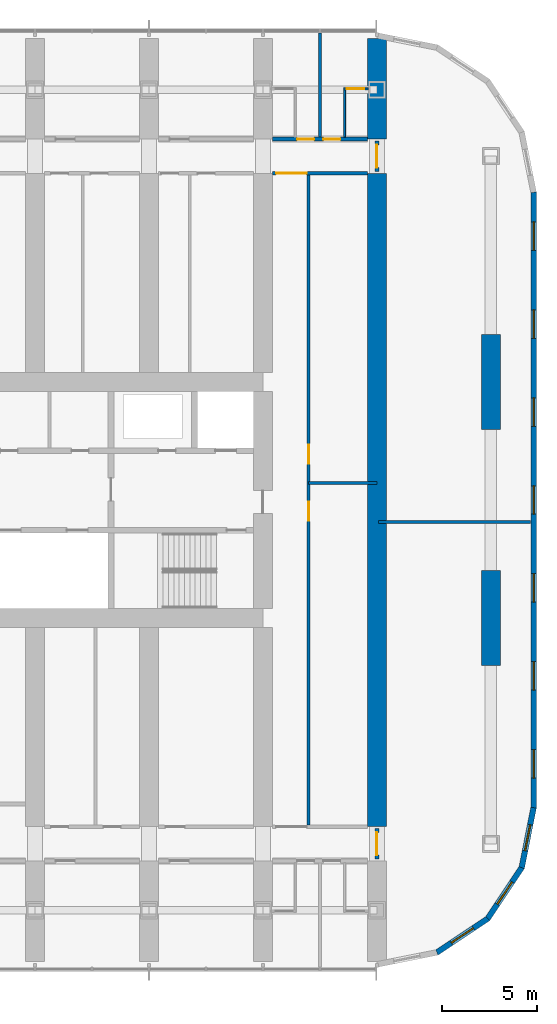
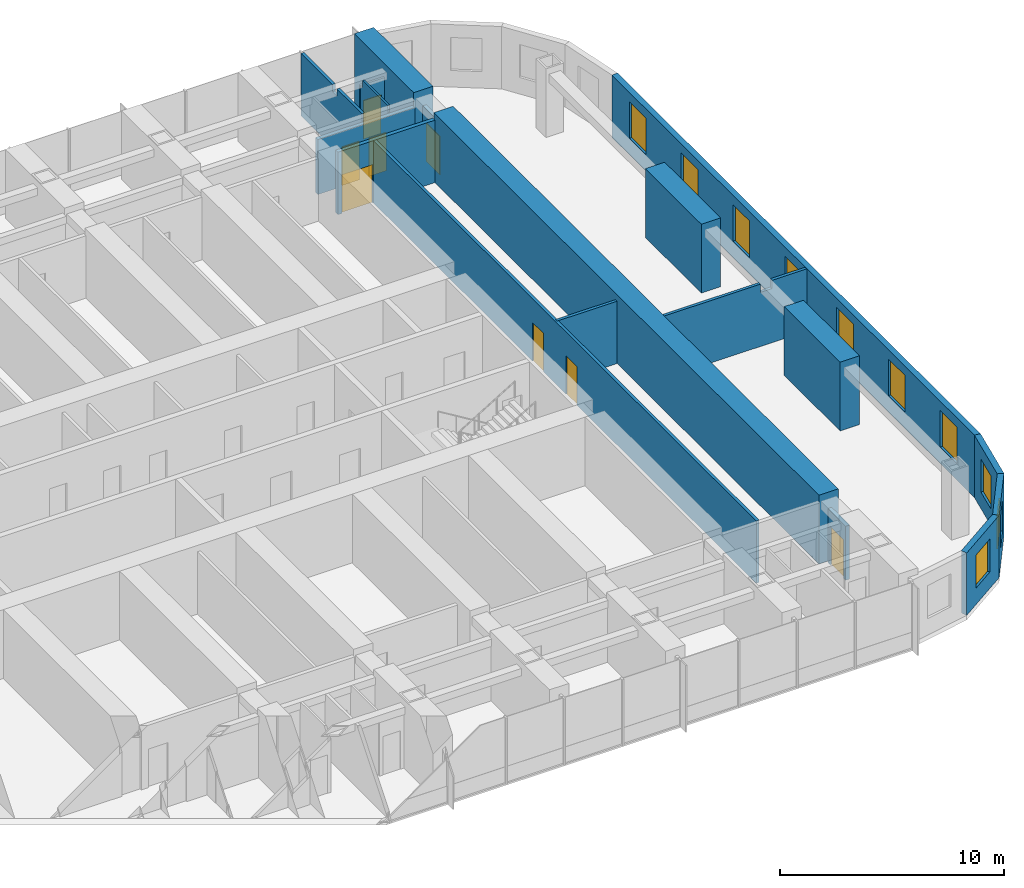
# One storey, part 17 of 23: 18 walls, 10 windows, 8 doors, 18 openings.
"""IFC4 building model written with IfcOpenShell, lengths in metres."""

from ifc_helpers import new_model, si_unit, direction, frame, frame_2d, origin, place, context, subcontext, project, spatial, polyline, rectangle, outline, extrude, material, layer, layer_set, type_object, element, fill, save


model = new_model("IFC4")

# Units and contexts
model_context = context("Model", 3, precision=1e-05, world=origin(), true_north=direction((0.0, 1.0)))
body_context = subcontext(model_context, "Body", "Model", "MODEL_VIEW")
ifc_project = project(units=[si_unit("LENGTHUNIT", "METRE"), si_unit("AREAUNIT", "SQUARE_METRE"), si_unit("VOLUMEUNIT", "CUBIC_METRE"), si_unit("PLANEANGLEUNIT", "RADIAN"), si_unit("MASSUNIT", "GRAM", prefix="KILO")], contexts=[model_context])

# Site, building, storey
site_placement = place(None, origin())
site = spatial("IfcSite", under=ifc_project, at=site_placement, CompositionType="ELEMENT")
building_placement = place(site_placement, origin())
building = spatial("IfcBuilding", under=site, at=building_placement, Name="Orbita Commons", CompositionType="ELEMENT")
storey_placement = place(building_placement, frame((0.0, 0.0, 65.199951171875)))
storey = spatial("IfcBuildingStorey", under=building, at=storey_placement, Name="L16", CompositionType="ELEMENT", Elevation=65.199951171875)

# Wall, openings, doors
ifc_material_1 = material(Name="Concrete blockwork", Category="masonry")
ifc_layer_1 = layer(ifc_material_1, 0.199951171875)
ifc_layer_set_1 = layer_set([ifc_layer_1], Name="Concrete blockwork")
wall_type_1 = type_object("IfcWallType", Name="Corridor wall 200 blockwork", PredefinedType="SOLIDWALL", material=ifc_layer_set_1)
wall_1_placement = place(storey_placement, frame((66.5, 51.0, 0.0), z_axis=(0.0, 0.0, 1.0), x_axis=(1.0, 0.0, 0.0)))
wall_1 = element("IfcWall", 1, at=wall_1_placement, inside=storey, type_object=wall_type_1, Name="Corridor wall 200 blockwork L16", PredefinedType="SOLIDWALL", context=body_context, shape_type="SweptSolid", body=[
    extrude(outline(polyline([(0.0, 0.0), (5.0, 0.0), (5.0, 3.0), (0.0, 3.0), (0.0, 0.0)])), frame((0.0, 0.10009765625, 0.0), z_axis=(0.0, -1.0, 0.0), x_axis=(1.0, 0.0, 0.0)), (0.0, 0.0, 1.0), 0.199951171875),
])
opening_1_placement = place(wall_1_placement, frame((1.300048828125, 0.0, 0.0)))
opening_1 = element("IfcOpeningElement", 2, at=opening_1_placement, cuts=wall_1, Name="Opening D11", PredefinedType="OPENING", context=body_context, shape_type="SweptSolid", body=[
    extrude(rectangle(XDim=0.89990234375, YDim=2.10009765625, at=frame_2d((0.449951171875, 1.050048828125))), frame((0.0, 0.10986328125, 0.0), z_axis=(0.0, -1.0, 0.0), x_axis=(1.0, 0.0, 0.0)), (0.0, 0.0, 1.0), 0.219970703125),
])
opening_2_placement = place(wall_1_placement, frame((2.675048828125, 0.0, 0.0)))
opening_2 = element("IfcOpeningElement", 3, at=opening_2_placement, cuts=wall_1, Name="Opening D11", PredefinedType="OPENING", context=body_context, shape_type="SweptSolid", body=[
    extrude(rectangle(XDim=0.89990234375, YDim=2.10009765625, at=frame_2d((0.449951171875, 1.050048828125))), frame((0.0, 0.10986328125, 0.0), z_axis=(0.0, -1.0, 0.0), x_axis=(1.0, 0.0, 0.0)), (0.0, 0.0, 1.0), 0.219970703125),
])
ifc_material_2 = material(Name="Steel-faced fire door leaf", Category="steel")
door_type_1 = type_object("IfcDoorType", Name="Corridor door 20 min 900x2100", OperationType="SINGLE_SWING_LEFT", PredefinedType="DOOR", material=ifc_material_2)
door_1_placement = place(opening_1_placement, origin())
door_1 = element("IfcDoor", 4, at=door_1_placement, inside=storey, type_object=door_type_1, Name="House bedroom L16-N18 door", OperationType="SINGLE_SWING_LEFT", OverallHeight=2.10009765625, OverallWidth=0.89990234375, PredefinedType="DOOR", context=body_context, shape_type="SweptSolid", body=[
    extrude(rectangle(XDim=0.89990234375, YDim=2.10009765625, at=frame_2d((0.449951171875, 1.050048828125))), frame((0.0, 0.02490234375, 0.0), z_axis=(0.0, -1.0, 0.0), x_axis=(1.0, 0.0, 0.0)), (0.0, 0.0, 1.0), 0.050048828125),
])
fill(opening_1, door_1)
door_2_placement = place(opening_2_placement, origin())
door_2 = element("IfcDoor", 5, at=door_2_placement, inside=storey, type_object=door_type_1, Name="House bedroom L16-N19 door", OperationType="SINGLE_SWING_LEFT", OverallHeight=2.10009765625, OverallWidth=0.89990234375, PredefinedType="DOOR", context=body_context, shape_type="SweptSolid", body=[
    extrude(rectangle(XDim=0.89990234375, YDim=2.10009765625, at=frame_2d((0.449951171875, 1.050048828125))), frame((0.0, 0.02490234375, 0.0), z_axis=(0.0, -1.0, 0.0), x_axis=(1.0, 0.0, 0.0)), (0.0, 0.0, 1.0), 0.050048828125),
])
fill(opening_2, door_2)

# Wall, opening, door
wall_2_placement = place(storey_placement, frame((72.0, 13.10009765625, 0.0), z_axis=(0.0, 0.0, 1.0), x_axis=(0.0, 1.0, 0.0)))
wall_2 = element("IfcWall", 6, at=wall_2_placement, inside=storey, type_object=wall_type_1, Name="Corridor wall 200 blockwork L16", PredefinedType="SOLIDWALL", context=body_context, shape_type="SweptSolid", body=[
    extrude(outline(polyline([(0.0, 0.0), (1.599853515625, 0.0), (1.60009765625, 2.949951171875), (0.0, 2.949951171875), (0.0, 0.0)])), frame((0.0, 0.10009765625, 0.0), z_axis=(0.0, -1.0, 0.0), x_axis=(1.0, 0.0, 0.0)), (0.0, 0.0, 1.0), 0.199951171875),
])
opening_3_placement = place(wall_2_placement, frame((0.199951171875, 0.0, 0.0)))
opening_3 = element("IfcOpeningElement", 7, at=opening_3_placement, cuts=wall_2, Name="Opening D12", PredefinedType="OPENING", context=body_context, shape_type="SweptSolid", body=[
    extrude(rectangle(XDim=1.199951171875, YDim=2.10009765625, at=frame_2d((0.60009765625, 1.050048828125))), frame((0.0, 0.10986328125, 0.0), z_axis=(0.0, -1.0, 0.0), x_axis=(1.0, 0.0, 0.0)), (0.0, 0.0, 1.0), 0.219970703125),
])
ifc_material_3 = material(Name="Steel-faced fire door leaf", Category="steel")
door_type_2 = type_object("IfcDoorType", Name="Double corridor door 20 min 1200x2100", OperationType="DOUBLE_DOOR_SINGLE_SWING", PredefinedType="DOOR", material=ifc_material_3)
door_3_placement = place(opening_3_placement, origin())
door_3 = element("IfcDoor", 8, at=door_3_placement, inside=storey, type_object=door_type_2, Name="Lounge doors", OperationType="DOUBLE_DOOR_SINGLE_SWING", OverallHeight=2.10009765625, OverallWidth=1.199951171875, PredefinedType="DOOR", context=body_context, shape_type="SweptSolid", body=[
    extrude(rectangle(XDim=1.199951171875, YDim=2.10009765625, at=frame_2d((0.60009765625, 1.050048828125))), frame((0.0, 0.02490234375, 0.0), z_axis=(0.0, -1.0, 0.0), x_axis=(1.0, 0.0, 0.0)), (0.0, 0.0, 1.0), 0.050048828125),
])
fill(opening_3, door_3)

wall_3_placement = place(storey_placement, frame((72.0, 49.300048828125, 0.0), z_axis=(0.0, 0.0, 1.0), x_axis=(0.0, 1.0, 0.0)))
wall_3 = element("IfcWall", 9, at=wall_3_placement, inside=storey, type_object=wall_type_1, Name="Corridor wall 200 blockwork L16", PredefinedType="SOLIDWALL", context=body_context, shape_type="SweptSolid", body=[
    extrude(outline(polyline([(0.0, 0.0), (1.599853515625, 0.0), (1.60009765625, 2.949951171875), (0.0, 2.949951171875), (0.0, 0.0)])), frame((0.0, 0.10009765625, 0.0), z_axis=(0.0, -1.0, 0.0), x_axis=(1.0, 0.0, 0.0)), (0.0, 0.0, 1.0), 0.199951171875),
])
opening_4_placement = place(wall_3_placement, frame((0.199951171875, 0.0, 0.0)))
opening_4 = element("IfcOpeningElement", 10, at=opening_4_placement, cuts=wall_3, Name="Opening D12", PredefinedType="OPENING", context=body_context, shape_type="SweptSolid", body=[
    extrude(rectangle(XDim=1.199951171875, YDim=2.10009765625, at=frame_2d((0.60009765625, 1.050048828125))), frame((0.0, 0.10986328125, 0.0), z_axis=(0.0, -1.0, 0.0), x_axis=(1.0, 0.0, 0.0)), (0.0, 0.0, 1.0), 0.219970703125),
])
door_4_placement = place(opening_4_placement, origin())
door_4 = element("IfcDoor", 11, at=door_4_placement, inside=storey, type_object=door_type_2, Name="Lounge doors", OperationType="DOUBLE_DOOR_SINGLE_SWING", OverallHeight=2.10009765625, OverallWidth=1.199951171875, PredefinedType="DOOR", context=body_context, shape_type="SweptSolid", body=[
    extrude(rectangle(XDim=1.199951171875, YDim=2.10009765625, at=frame_2d((0.60009765625, 1.050048828125))), frame((0.0, 0.02490234375, 0.0), z_axis=(0.0, -1.0, 0.0), x_axis=(1.0, 0.0, 0.0)), (0.0, 0.0, 1.0), 0.050048828125),
])
fill(opening_4, door_4)

ifc_material_4 = material(Name="Hollow concrete block 200", Category="concrete")
ifc_layer_2 = layer(ifc_material_4, 0.199951171875)
ifc_layer_set_2 = layer_set([ifc_layer_2], Name="Hollow concrete block 200")
wall_type_2 = type_object("IfcWallType", Name="Corridor wall 200 hollow concrete block", PredefinedType="SOLIDWALL", material=ifc_layer_set_2)
wall_4_placement = place(storey_placement, frame((66.5, 49.199951171875, 0.0), z_axis=(0.0, 0.0, 1.0), x_axis=(1.0, 0.0, 0.0)))
wall_4 = element("IfcWall", 12, at=wall_4_placement, inside=storey, type_object=wall_type_2, Name="Corridor wall 200 hollow concrete block L16", PredefinedType="SOLIDWALL", context=body_context, shape_type="SweptSolid", body=[
    extrude(rectangle(XDim=5.0, YDim=0.199951171875, at=frame_2d((2.5, 0.0))), origin(), (0.0, 0.0, 1.0), 3.400146484375),
])
opening_5_placement = place(wall_4_placement, frame((0.199951171875, 0.0, 0.0)))
opening_5 = element("IfcOpeningElement", 13, at=opening_5_placement, cuts=wall_4, Name="Opening D10", PredefinedType="OPENING", context=body_context, shape_type="SweptSolid", body=[
    extrude(rectangle(XDim=1.60009765625, YDim=2.10009765625, at=frame_2d((0.800048828125, 1.050048828125))), frame((0.0, 0.10986328125, 0.0), z_axis=(0.0, -1.0, 0.0), x_axis=(1.0, 0.0, 0.0)), (0.0, 0.0, 1.0), 0.219970703125),
])
ifc_material_5 = material(Name="Steel-faced fire door leaf", Category="steel")
door_type_3 = type_object("IfcDoorType", Name="Double corridor door 20 min 1600x2100", OperationType="DOUBLE_DOOR_SINGLE_SWING", PredefinedType="DOOR", material=ifc_material_5)
door_5_placement = place(opening_5_placement, origin())
door_5 = element("IfcDoor", 14, at=door_5_placement, inside=storey, type_object=door_type_3, Name="Cross corridor doors", OperationType="DOUBLE_DOOR_SINGLE_SWING", OverallHeight=2.10009765625, OverallWidth=1.60009765625, PredefinedType="DOOR", context=body_context, shape_type="SweptSolid", body=[
    extrude(rectangle(XDim=1.60009765625, YDim=2.10009765625, at=frame_2d((0.800048828125, 1.050048828125))), frame((0.0, 0.02490234375, 0.0), z_axis=(0.0, -1.0, 0.0), x_axis=(1.0, 0.0, 0.0)), (0.0, 0.0, 1.0), 0.050048828125),
])
fill(opening_5, door_5)

# Walls
ifc_material_6 = material(Name="Concrete C50/60", Category="concrete")
ifc_layer_3 = layer(ifc_material_6, 1.0)
ifc_layer_set_3 = layer_set([ifc_layer_3], Name="Concrete C50/60")
wall_type_3 = type_object("IfcWallType", Name="Cross wall 1000 C50/60", PredefinedType="SHEAR", material=ifc_layer_set_3)
wall_5_placement = place(storey_placement, frame((72.0, 51.0, 0.0), z_axis=(0.0, 0.0, 1.0), x_axis=(0.0, 1.0, 0.0)))
element("IfcWall", 15, at=wall_5_placement, inside=storey, type_object=wall_type_3, Name="Cross wall 13 north outer L16", PredefinedType="SHEAR", context=body_context, shape_type="SweptSolid", body=[
    extrude(rectangle(XDim=5.300048828125, YDim=1.0, at=frame_2d((2.64990234375, 0.0))), origin(), (0.0, 0.0, 1.0), 3.75),
])
wall_6_placement = place(storey_placement, frame((72.0, 14.800048828125, 0.0), z_axis=(0.0, 0.0, 1.0), x_axis=(0.0, 1.0, 0.0)))
element("IfcWall", 16, at=wall_6_placement, inside=storey, type_object=wall_type_3, Name="Cross wall 13 inner L16", PredefinedType="SHEAR", context=body_context, shape_type="SweptSolid", body=[
    extrude(rectangle(XDim=34.39990234375, YDim=1.0, at=frame_2d((17.199951171875, 0.0))), origin(), (0.0, 0.0, 1.0), 3.75),
])

# Wall, opening, door
ifc_material_7 = material(Name="Moisture-resistant plasterboard on steel studs", Category="steel")
ifc_layer_4 = layer(ifc_material_7, 0.10009765625)
ifc_layer_set_4 = layer_set([ifc_layer_4], Name="Moisture-resistant plasterboard on steel studs")
wall_type_4 = type_object("IfcWallType", Name="En-suite partition 100", PredefinedType="PARTITIONING", material=ifc_layer_set_4)
wall_7_placement = place(storey_placement, frame((70.25, 53.6416015625, 0.0), z_axis=(0.0, 0.0, 1.0), x_axis=(1.0, 0.0, 0.0)))
wall_7 = element("IfcWall", 17, at=wall_7_placement, inside=storey, type_object=wall_type_4, Name="En-suite partition 100 L16", PredefinedType="PARTITIONING", context=body_context, shape_type="SweptSolid", body=[
    extrude(outline(polyline([(0.0, 0.0), (1.300048828125, 0.0), (1.300048828125, 3.0), (0.0, 3.0), (0.0, 0.0)])), frame((0.0, 0.050048828125, 0.0), z_axis=(0.0, -1.0, 0.0), x_axis=(1.0, 0.0, 0.0)), (0.0, 0.0, 1.0), 0.10009765625),
])
opening_6_placement = place(wall_7_placement, frame((0.175048828125, 0.0, 0.0)))
opening_6 = element("IfcOpeningElement", 18, at=opening_6_placement, cuts=wall_7, Name="Opening D09", PredefinedType="OPENING", context=body_context, shape_type="SweptSolid", body=[
    extrude(rectangle(XDim=0.89990234375, YDim=2.10009765625, at=frame_2d((0.449951171875, 1.050048828125))), frame((0.0, 0.06005859375, 0.0), z_axis=(0.0, -1.0, 0.0), x_axis=(1.0, 0.0, 0.0)), (0.0, 0.0, 1.0), 0.1201171875),
])
ifc_material_8 = material(Name="Laminated timber door leaf", Category="wood")
door_type_4 = type_object("IfcDoorType", Name="En-suite door 900x2100", OperationType="SINGLE_SWING_RIGHT", PredefinedType="DOOR", material=ifc_material_8)
door_6_placement = place(opening_6_placement, origin())
door_6 = element("IfcDoor", 19, at=door_6_placement, inside=storey, type_object=door_type_4, Name="En-suite L16-N19 door", OperationType="SINGLE_SWING_RIGHT", OverallHeight=2.10009765625, OverallWidth=0.89990234375, PredefinedType="DOOR", context=body_context, shape_type="SweptSolid", body=[
    extrude(rectangle(XDim=0.89990234375, YDim=2.10009765625, at=frame_2d((0.449951171875, 1.050048828125))), frame((0.0, 0.02490234375, 0.0), z_axis=(0.0, -1.0, 0.0), x_axis=(1.0, 0.0, 0.0)), (0.0, 0.0, 1.0), 0.050048828125),
])
fill(opening_6, door_6)

# Walls
wall_8_placement = place(storey_placement, frame((70.300048828125, 53.591796875, 0.0), z_axis=(0.0, 0.0, 1.0), x_axis=(0.0, -1.0, 0.0)))
element("IfcWall", 20, at=wall_8_placement, inside=storey, type_object=wall_type_4, Name="En-suite partition 100 L16", PredefinedType="PARTITIONING", context=body_context, shape_type="SweptSolid", body=[
    extrude(outline(polyline([(0.0, 0.0), (2.49169921875, 0.0), (2.49169921875, 3.0), (2.443603515625, 3.0), (2.441650390625, 3.400146484375), (0.193603515625, 3.400146484375), (0.191650390625, 3.0), (0.0, 3.0), (0.0, 0.0)])), frame((0.0, 0.050048828125, 0.0), z_axis=(0.0, -1.0, 0.0), x_axis=(1.0, 0.0, 0.0)), (0.0, 0.0, 1.0), 0.10009765625),
])
ifc_material_9 = material(Name="Concrete C50/60", Category="concrete")
ifc_layer_5 = layer(ifc_material_9, 1.0)
ifc_layer_set_5 = layer_set([ifc_layer_5], Name="Concrete C50/60")
wall_type_5 = type_object("IfcWallType", Name="End pier 1000x5000 C50/60", PredefinedType="SHEAR", material=ifc_layer_set_5)
for number, where, z_axis, x_axis, name in (
    (21, (78.0, 23.300048828125, 0.0), (0.0, 0.0, 1.0), (0.0, 1.0, 0.0), "End pier 14/C L16"),
    (22, (78.0, 35.699951171875, 0.0), (0.0, 0.0, 1.0), (0.0, 1.0, 0.0), "End pier 14/D L16"),
):
    element("IfcWall", number, at=place(storey_placement, frame(where, z_axis=z_axis, x_axis=x_axis)), inside=storey, type_object=wall_type_5, Name=name, PredefinedType="SHEAR", context=body_context, shape_type="SweptSolid", body=[
        extrude(rectangle(XDim=5.0, YDim=1.0, at=frame_2d((2.5, 0.0))), origin(), (0.0, 0.0, 1.0), 3.75),
    ])

# Wall, openings, doors
ifc_material_10 = material(Name="Gypsum plasterboard on steel studs", Category="steel")
ifc_layer_6 = layer(ifc_material_10, 0.14990234375)
ifc_layer_set_6 = layer_set([ifc_layer_6], Name="Gypsum plasterboard on steel studs")
wall_type_6 = type_object("IfcWallType", Name="Partition 150 plasterboard", PredefinedType="PARTITIONING", material=ifc_layer_set_6)
wall_9_placement = place(storey_placement, frame((68.39990234375, 14.89990234375, 0.0), z_axis=(0.0, 0.0, 1.0), x_axis=(0.0, 1.0, 0.0)))
wall_9 = element("IfcWall", 23, at=wall_9_placement, inside=storey, type_object=wall_type_6, Name="Partition 150 plasterboard L16", PredefinedType="PARTITIONING", context=body_context, shape_type="SweptSolid", body=[
    extrude(rectangle(XDim=34.2001953125, YDim=0.14990234375, at=frame_2d((17.10009765625, 0.0))), origin(), (0.0, 0.0, 1.0), 3.400146484375),
])
opening_7_placement = place(wall_9_placement, frame((16.0, 0.0, 0.0)))
opening_7 = element("IfcOpeningElement", 24, at=opening_7_placement, cuts=wall_9, Name="Opening D06", PredefinedType="OPENING", context=body_context, shape_type="SweptSolid", body=[
    extrude(rectangle(XDim=1.0, YDim=2.10009765625, at=frame_2d((0.5, 1.050048828125))), frame((0.0, 0.0849609375, 0.0), z_axis=(0.0, -1.0, 0.0), x_axis=(1.0, 0.0, 0.0)), (0.0, 0.0, 1.0), 0.169921875),
])
opening_8_placement = place(wall_9_placement, frame((19.0, 0.0, 0.0)))
opening_8 = element("IfcOpeningElement", 25, at=opening_8_placement, cuts=wall_9, Name="Opening D06", PredefinedType="OPENING", context=body_context, shape_type="SweptSolid", body=[
    extrude(rectangle(XDim=1.0, YDim=2.10009765625, at=frame_2d((0.5, 1.050048828125))), frame((0.0, 0.0849609375, 0.0), z_axis=(0.0, -1.0, 0.0), x_axis=(1.0, 0.0, 0.0)), (0.0, 0.0, 1.0), 0.169921875),
])
ifc_material_11 = material(Name="Steel-faced fire door leaf", Category="steel")
door_type_5 = type_object("IfcDoorType", Name="Corridor door 20 min 1000x2100", OperationType="SINGLE_SWING_LEFT", PredefinedType="DOOR", material=ifc_material_11)
door_7_placement = place(opening_7_placement, origin())
door_7 = element("IfcDoor", 26, at=door_7_placement, inside=storey, type_object=door_type_5, Name="Prayer room door", OperationType="SINGLE_SWING_LEFT", OverallHeight=2.10009765625, OverallWidth=1.0, PredefinedType="DOOR", context=body_context, shape_type="SweptSolid", body=[
    extrude(rectangle(XDim=1.0, YDim=2.10009765625, at=frame_2d((0.5, 1.050048828125))), frame((0.0, 0.02490234375, 0.0), z_axis=(0.0, -1.0, 0.0), x_axis=(1.0, 0.0, 0.0)), (0.0, 0.0, 1.0), 0.050048828125),
])
fill(opening_7, door_7)
door_8_placement = place(opening_8_placement, origin())
door_8 = element("IfcDoor", 27, at=door_8_placement, inside=storey, type_object=door_type_5, Name="Quiet room en door", OperationType="SINGLE_SWING_LEFT", OverallHeight=2.10009765625, OverallWidth=1.0, PredefinedType="DOOR", context=body_context, shape_type="SweptSolid", body=[
    extrude(rectangle(XDim=1.0, YDim=2.10009765625, at=frame_2d((0.5, 1.050048828125))), frame((0.0, 0.02490234375, 0.0), z_axis=(0.0, -1.0, 0.0), x_axis=(1.0, 0.0, 0.0)), (0.0, 0.0, 1.0), 0.050048828125),
])
fill(opening_8, door_8)

# Walls
wall_10_placement = place(storey_placement, frame((68.39990234375, 32.89990234375, 0.0), z_axis=(0.0, 0.0, 1.0), x_axis=(1.0, 0.0, 0.0)))
element("IfcWall", 28, at=wall_10_placement, inside=storey, type_object=wall_type_6, Name="Partition 150 plasterboard L16", PredefinedType="PARTITIONING", context=body_context, shape_type="SweptSolid", body=[
    extrude(rectangle(XDim=3.60009765625, YDim=0.14990234375, at=frame_2d((1.800048828125, 0.0))), origin(), (0.0, 0.0, 1.0), 3.400146484375),
])
wall_11_placement = place(storey_placement, frame((72.074951171875, 30.85009765625, 0.0), z_axis=(0.0, 0.0, 1.0), x_axis=(1.0, 0.0, 0.0)))
element("IfcWall", 29, at=wall_11_placement, inside=storey, type_object=wall_type_6, Name="Partition 150 plasterboard L16", PredefinedType="PARTITIONING", context=body_context, shape_type="SweptSolid", body=[
    extrude(outline(polyline([(0.0, 0.0), (8.02001953125, 0.0), (8.02001953125, 3.400146484375), (6.22705078125, 3.400146484375), (6.22509765625, 2.949951171875), (5.626953125, 2.949951171875), (5.625, 3.400146484375), (0.0, 3.400146484375), (0.0, 0.0)])), frame((0.0, 0.074951171875, 0.0), z_axis=(0.0, -1.0, 0.0), x_axis=(1.0, 0.0, 0.0)), (0.0, 0.0, 1.0), 0.14990234375),
])
ifc_material_12 = material(Name="Gypsum plasterboard on steel studs", Category="steel")
ifc_layer_7 = layer(ifc_material_12, 0.14990234375)
ifc_layer_set_7 = layer_set([ifc_layer_7], Name="Gypsum plasterboard on steel studs")
wall_type_7 = type_object("IfcWallType", Name="Party wall 150 plasterboard", PredefinedType="PARTITIONING", material=ifc_layer_set_7)
wall_12_placement = place(storey_placement, frame((69.0, 56.590087890625, 0.0), z_axis=(0.0, 0.0, 1.0), x_axis=(0.0, -1.0, 0.0)))
element("IfcWall", 30, at=wall_12_placement, inside=storey, type_object=wall_type_7, Name="Party wall 150 plasterboard L16", PredefinedType="PARTITIONING", context=body_context, shape_type="SweptSolid", body=[
    extrude(outline(polyline([(0.0, 0.0), (5.489990234375, 0.0), (5.489990234375, 3.0), (5.44189453125, 3.0), (5.43994140625, 3.400146484375), (3.19189453125, 3.400146484375), (3.18994140625, 3.0), (2.7919921875, 3.0), (2.7900390625, 3.400146484375), (0.0, 3.400146484375), (0.0, 0.0)])), frame((0.0, 0.074951171875, 0.0), z_axis=(0.0, -1.0, 0.0), x_axis=(1.0, 0.0, 0.0)), (0.0, 0.0, 1.0), 0.14990234375),
])

# Wall, openings, windows
ifc_material_13 = material(Name="Precast concrete C40/50, white board-marked finish", Category="concrete")
ifc_layer_8 = layer(ifc_material_13, 0.300048828125)
ifc_layer_set_8 = layer_set([ifc_layer_8], Name="Precast concrete C40/50, white board-marked finish")
wall_type_8 = type_object("IfcWallType", Name="Precast concrete end shield 300", PredefinedType="SOLIDWALL", material=ifc_layer_set_8)
wall_13_placement = place(storey_placement, frame((80.25, 15.800048828125, 0.0), z_axis=(0.0, 0.0, 1.0), x_axis=(0.0, 1.0, 0.0)))
wall_13 = element("IfcWall", 31, at=wall_13_placement, inside=storey, type_object=wall_type_8, Name="End shield E L16", PredefinedType="SOLIDWALL", context=body_context, shape_type="SweptSolid", body=[
    extrude(outline(polyline([(-0.014892578125, -0.14990234375), (32.414794921875, -0.14990234375), (32.385009765625, 0.14990234375), (0.014892578125, 0.14990234375), (-0.014892578125, -0.14990234375)])), origin(), (0.0, 0.0, 1.0), 3.400146484375),
])
opening_9_placement = place(wall_13_placement, frame((1.564208984375, 0.0, 0.89990234375)))
opening_9 = element("IfcOpeningElement", 32, at=opening_9_placement, cuts=wall_13, Name="Opening W01", PredefinedType="OPENING", context=body_context, shape_type="SweptSolid", body=[
    extrude(rectangle(XDim=1.5, YDim=2.0, at=frame_2d((0.75, 1.0))), frame((0.0, 0.159912109375, 0.0), z_axis=(0.0, -1.0, 0.0), x_axis=(1.0, 0.0, 0.0)), (0.0, 0.0, 1.0), 0.320068359375),
])
opening_10_placement = place(wall_13_placement, frame((6.19287109375, 0.0, 0.89990234375)))
opening_10 = element("IfcOpeningElement", 33, at=opening_10_placement, cuts=wall_13, Name="Opening W01", PredefinedType="OPENING", context=body_context, shape_type="SweptSolid", body=[
    extrude(rectangle(XDim=1.5, YDim=2.0, at=frame_2d((0.75, 1.0))), frame((0.0, 0.159912109375, 0.0), z_axis=(0.0, -1.0, 0.0), x_axis=(1.0, 0.0, 0.0)), (0.0, 0.0, 1.0), 0.320068359375),
])
opening_11_placement = place(wall_13_placement, frame((10.821533203125, 0.0, 0.89990234375)))
opening_11 = element("IfcOpeningElement", 34, at=opening_11_placement, cuts=wall_13, Name="Opening W01", PredefinedType="OPENING", context=body_context, shape_type="SweptSolid", body=[
    extrude(rectangle(XDim=1.5, YDim=2.0, at=frame_2d((0.75, 1.0))), frame((0.0, 0.159912109375, 0.0), z_axis=(0.0, -1.0, 0.0), x_axis=(1.0, 0.0, 0.0)), (0.0, 0.0, 1.0), 0.320068359375),
])
opening_12_placement = place(wall_13_placement, frame((15.449951171875, 0.0, 0.89990234375)))
opening_12 = element("IfcOpeningElement", 35, at=opening_12_placement, cuts=wall_13, Name="Opening W01", PredefinedType="OPENING", context=body_context, shape_type="SweptSolid", body=[
    extrude(rectangle(XDim=1.5, YDim=2.0, at=frame_2d((0.75, 1.0))), frame((0.0, 0.159912109375, 0.0), z_axis=(0.0, -1.0, 0.0), x_axis=(1.0, 0.0, 0.0)), (0.0, 0.0, 1.0), 0.320068359375),
])
opening_13_placement = place(wall_13_placement, frame((20.07861328125, 0.0, 0.89990234375)))
opening_13 = element("IfcOpeningElement", 36, at=opening_13_placement, cuts=wall_13, Name="Opening W01", PredefinedType="OPENING", context=body_context, shape_type="SweptSolid", body=[
    extrude(rectangle(XDim=1.5, YDim=2.0, at=frame_2d((0.75, 1.0))), frame((0.0, 0.159912109375, 0.0), z_axis=(0.0, -1.0, 0.0), x_axis=(1.0, 0.0, 0.0)), (0.0, 0.0, 1.0), 0.320068359375),
])
opening_14_placement = place(wall_13_placement, frame((24.70703125, 0.0, 0.89990234375)))
opening_14 = element("IfcOpeningElement", 37, at=opening_14_placement, cuts=wall_13, Name="Opening W01", PredefinedType="OPENING", context=body_context, shape_type="SweptSolid", body=[
    extrude(rectangle(XDim=1.5, YDim=2.0, at=frame_2d((0.75, 1.0))), frame((0.0, 0.159912109375, 0.0), z_axis=(0.0, -1.0, 0.0), x_axis=(1.0, 0.0, 0.0)), (0.0, 0.0, 1.0), 0.320068359375),
])
opening_15_placement = place(wall_13_placement, frame((29.335693359375, 0.0, 0.89990234375)))
opening_15 = element("IfcOpeningElement", 38, at=opening_15_placement, cuts=wall_13, Name="Opening W01", PredefinedType="OPENING", context=body_context, shape_type="SweptSolid", body=[
    extrude(rectangle(XDim=1.5, YDim=2.0, at=frame_2d((0.75, 1.0))), frame((0.0, 0.159912109375, 0.0), z_axis=(0.0, -1.0, 0.0), x_axis=(1.0, 0.0, 0.0)), (0.0, 0.0, 1.0), 0.320068359375),
])
ifc_material_14 = material(Name="Aluminium frame, clear double glazing", Category="aluminium")
window_type_1 = type_object("IfcWindowType", Name="Deep-set window 1500x2000", PartitioningType="SINGLE_PANEL", PredefinedType="WINDOW", material=ifc_material_14)
window_1_placement = place(opening_9_placement, origin())
window_1 = element("IfcWindow", 39, at=window_1_placement, inside=storey, type_object=window_type_1, Name="Window L16-E 1", OverallHeight=2.0, OverallWidth=1.5, PartitioningType="SINGLE_PANEL", PredefinedType="WINDOW", context=body_context, shape_type="SweptSolid", body=[
    extrude(rectangle(XDim=1.5, YDim=2.0, at=frame_2d((0.75, 1.0))), frame((0.0, 0.030029296875, 0.0), z_axis=(0.0, -1.0, 0.0), x_axis=(1.0, 0.0, 0.0)), (0.0, 0.0, 1.0), 0.06005859375),
])
fill(opening_9, window_1)
window_2_placement = place(opening_10_placement, origin())
window_2 = element("IfcWindow", 40, at=window_2_placement, inside=storey, type_object=window_type_1, Name="Window L16-E 2", OverallHeight=2.0, OverallWidth=1.5, PartitioningType="SINGLE_PANEL", PredefinedType="WINDOW", context=body_context, shape_type="SweptSolid", body=[
    extrude(rectangle(XDim=1.5, YDim=2.0, at=frame_2d((0.75, 1.0))), frame((0.0, 0.030029296875, 0.0), z_axis=(0.0, -1.0, 0.0), x_axis=(1.0, 0.0, 0.0)), (0.0, 0.0, 1.0), 0.06005859375),
])
fill(opening_10, window_2)
window_3_placement = place(opening_11_placement, origin())
window_3 = element("IfcWindow", 41, at=window_3_placement, inside=storey, type_object=window_type_1, Name="Window L16-E 3", OverallHeight=2.0, OverallWidth=1.5, PartitioningType="SINGLE_PANEL", PredefinedType="WINDOW", context=body_context, shape_type="SweptSolid", body=[
    extrude(rectangle(XDim=1.5, YDim=2.0, at=frame_2d((0.75, 1.0))), frame((0.0, 0.030029296875, 0.0), z_axis=(0.0, -1.0, 0.0), x_axis=(1.0, 0.0, 0.0)), (0.0, 0.0, 1.0), 0.06005859375),
])
fill(opening_11, window_3)
window_4_placement = place(opening_12_placement, origin())
window_4 = element("IfcWindow", 42, at=window_4_placement, inside=storey, type_object=window_type_1, Name="Window L16-E 4", OverallHeight=2.0, OverallWidth=1.5, PartitioningType="SINGLE_PANEL", PredefinedType="WINDOW", context=body_context, shape_type="SweptSolid", body=[
    extrude(rectangle(XDim=1.5, YDim=2.0, at=frame_2d((0.75, 1.0))), frame((0.0, 0.030029296875, 0.0), z_axis=(0.0, -1.0, 0.0), x_axis=(1.0, 0.0, 0.0)), (0.0, 0.0, 1.0), 0.06005859375),
])
fill(opening_12, window_4)
window_5_placement = place(opening_13_placement, origin())
window_5 = element("IfcWindow", 43, at=window_5_placement, inside=storey, type_object=window_type_1, Name="Window L16-E 5", OverallHeight=2.0, OverallWidth=1.5, PartitioningType="SINGLE_PANEL", PredefinedType="WINDOW", context=body_context, shape_type="SweptSolid", body=[
    extrude(rectangle(XDim=1.5, YDim=2.0, at=frame_2d((0.75, 1.0))), frame((0.0, 0.030029296875, 0.0), z_axis=(0.0, -1.0, 0.0), x_axis=(1.0, 0.0, 0.0)), (0.0, 0.0, 1.0), 0.06005859375),
])
fill(opening_13, window_5)
window_6_placement = place(opening_14_placement, origin())
window_6 = element("IfcWindow", 44, at=window_6_placement, inside=storey, type_object=window_type_1, Name="Window L16-E 6", OverallHeight=2.0, OverallWidth=1.5, PartitioningType="SINGLE_PANEL", PredefinedType="WINDOW", context=body_context, shape_type="SweptSolid", body=[
    extrude(rectangle(XDim=1.5, YDim=2.0, at=frame_2d((0.75, 1.0))), frame((0.0, 0.030029296875, 0.0), z_axis=(0.0, -1.0, 0.0), x_axis=(1.0, 0.0, 0.0)), (0.0, 0.0, 1.0), 0.06005859375),
])
fill(opening_14, window_6)
window_7_placement = place(opening_15_placement, origin())
window_7 = element("IfcWindow", 45, at=window_7_placement, inside=storey, type_object=window_type_1, Name="Window L16-E 7", OverallHeight=2.0, OverallWidth=1.5, PartitioningType="SINGLE_PANEL", PredefinedType="WINDOW", context=body_context, shape_type="SweptSolid", body=[
    extrude(rectangle(XDim=1.5, YDim=2.0, at=frame_2d((0.75, 1.0))), frame((0.0, 0.030029296875, 0.0), z_axis=(0.0, -1.0, 0.0), x_axis=(1.0, 0.0, 0.0)), (0.0, 0.0, 1.0), 0.06005859375),
])
fill(opening_15, window_7)

# Wall, opening, window
wall_14_placement = place(storey_placement, frame((75.156982421875, 8.177978515625, 0.0), z_axis=(0.0, 0.0, 1.0), x_axis=(0.831478105043, 0.555557522525, 0.0)))
wall_14 = element("IfcWall", 46, at=wall_14_placement, inside=storey, type_object=wall_type_8, Name="End shield SE chord 2 L16", PredefinedType="SOLIDWALL", context=body_context, shape_type="SweptSolid", body=[
    extrude(outline(polyline([(-0.02978515625, -0.14990234375), (3.248779296875, -0.14990234375), (3.189208984375, 0.14990234375), (0.02978515625, 0.14990234375), (-0.02978515625, -0.14990234375)])), origin(), (0.0, 0.0, 1.0), 3.400146484375),
])
opening_16_placement = place(wall_14_placement, frame((0.909423828125, 0.0, 0.89990234375)))
opening_16 = element("IfcOpeningElement", 47, at=opening_16_placement, cuts=wall_14, Name="Opening W02", PredefinedType="OPENING", context=body_context, shape_type="SweptSolid", body=[
    extrude(rectangle(XDim=1.39990234375, YDim=1.800048828125, at=frame_2d((0.699951171875, 0.89990234375))), frame((0.0, 0.159912109375, 0.0), z_axis=(0.0, -1.0, 0.0), x_axis=(1.0, 0.0, 0.0)), (0.0, 0.0, 1.0), 0.320068359375),
])
ifc_material_15 = material(Name="Aluminium frame, clear double glazing", Category="aluminium")
window_type_2 = type_object("IfcWindowType", Name="Deep-set window 1400x1800", PartitioningType="SINGLE_PANEL", PredefinedType="WINDOW", material=ifc_material_15)
window_8_placement = place(opening_16_placement, origin())
window_8 = element("IfcWindow", 48, at=window_8_placement, inside=storey, type_object=window_type_2, Name="Window L16-SE1", OverallHeight=1.800048828125, OverallWidth=1.39990234375, PartitioningType="SINGLE_PANEL", PredefinedType="WINDOW", context=body_context, shape_type="SweptSolid", body=[
    extrude(rectangle(XDim=1.39990234375, YDim=1.800048828125, at=frame_2d((0.699951171875, 0.89990234375))), frame((0.0, 0.030029296875, 0.0), z_axis=(0.0, -1.0, 0.0), x_axis=(1.0, 0.0, 0.0)), (0.0, 0.0, 1.0), 0.06005859375),
])
fill(opening_16, window_8)

wall_15_placement = place(storey_placement, frame((77.83349609375, 9.96630859375, 0.0), z_axis=(0.0, 0.0, 1.0), x_axis=(0.555609954424, 0.831443069936, 0.0)))
wall_15 = element("IfcWall", 49, at=wall_15_placement, inside=storey, type_object=wall_type_8, Name="End shield SE chord 3 L16", PredefinedType="SOLIDWALL", context=body_context, shape_type="SweptSolid", body=[
    extrude(outline(polyline([(-0.02978515625, -0.14990234375), (3.2490234375, -0.14990234375), (3.189453125, 0.14990234375), (0.02978515625, 0.14990234375), (-0.02978515625, -0.14990234375)])), origin(), (0.0, 0.0, 1.0), 3.400146484375),
])
opening_17_placement = place(wall_15_placement, frame((0.909423828125, 0.0, 0.89990234375)))
opening_17 = element("IfcOpeningElement", 50, at=opening_17_placement, cuts=wall_15, Name="Opening W02", PredefinedType="OPENING", context=body_context, shape_type="SweptSolid", body=[
    extrude(rectangle(XDim=1.39990234375, YDim=1.800048828125, at=frame_2d((0.699951171875, 0.89990234375))), frame((0.0, 0.159912109375, 0.0), z_axis=(0.0, -1.0, 0.0), x_axis=(1.0, 0.0, 0.0)), (0.0, 0.0, 1.0), 0.320068359375),
])
window_9_placement = place(opening_17_placement, origin())
window_9 = element("IfcWindow", 51, at=window_9_placement, inside=storey, type_object=window_type_2, Name="Window L16-SE2", OverallHeight=1.800048828125, OverallWidth=1.39990234375, PartitioningType="SINGLE_PANEL", PredefinedType="WINDOW", context=body_context, shape_type="SweptSolid", body=[
    extrude(rectangle(XDim=1.39990234375, YDim=1.800048828125, at=frame_2d((0.699951171875, 0.89990234375))), frame((0.0, 0.030029296875, 0.0), z_axis=(0.0, -1.0, 0.0), x_axis=(1.0, 0.0, 0.0)), (0.0, 0.0, 1.0), 0.06005859375),
])
fill(opening_17, window_9)

wall_16_placement = place(storey_placement, frame((79.6220703125, 12.642822265625, 0.0), z_axis=(0.0, 0.0, 1.0), x_axis=(0.195065901187, 0.980790137692, 0.0)))
wall_16 = element("IfcWall", 52, at=wall_16_placement, inside=storey, type_object=wall_type_8, Name="End shield SE chord 4 L16", PredefinedType="SOLIDWALL", context=body_context, shape_type="SweptSolid", body=[
    extrude(outline(polyline([(-0.02978515625, -0.14990234375), (3.23388671875, -0.14990234375), (3.2041015625, 0.14990234375), (0.02978515625, 0.14990234375), (-0.02978515625, -0.14990234375)])), origin(), (0.0, 0.0, 1.0), 3.400146484375),
])
opening_18_placement = place(wall_16_placement, frame((0.909423828125, 0.0, 0.89990234375)))
opening_18 = element("IfcOpeningElement", 53, at=opening_18_placement, cuts=wall_16, Name="Opening W02", PredefinedType="OPENING", context=body_context, shape_type="SweptSolid", body=[
    extrude(rectangle(XDim=1.39990234375, YDim=1.800048828125, at=frame_2d((0.699951171875, 0.89990234375))), frame((0.0, 0.159912109375, 0.0), z_axis=(0.0, -1.0, 0.0), x_axis=(1.0, 0.0, 0.0)), (0.0, 0.0, 1.0), 0.320068359375),
])
window_10_placement = place(opening_18_placement, origin())
window_10 = element("IfcWindow", 54, at=window_10_placement, inside=storey, type_object=window_type_2, Name="Window L16-SE3", OverallHeight=1.800048828125, OverallWidth=1.39990234375, PartitioningType="SINGLE_PANEL", PredefinedType="WINDOW", context=body_context, shape_type="SweptSolid", body=[
    extrude(rectangle(XDim=1.39990234375, YDim=1.800048828125, at=frame_2d((0.699951171875, 0.89990234375))), frame((0.0, 0.030029296875, 0.0), z_axis=(0.0, -1.0, 0.0), x_axis=(1.0, 0.0, 0.0)), (0.0, 0.0, 1.0), 0.06005859375),
])
fill(opening_18, window_10)

save(model, "model.ifc")
